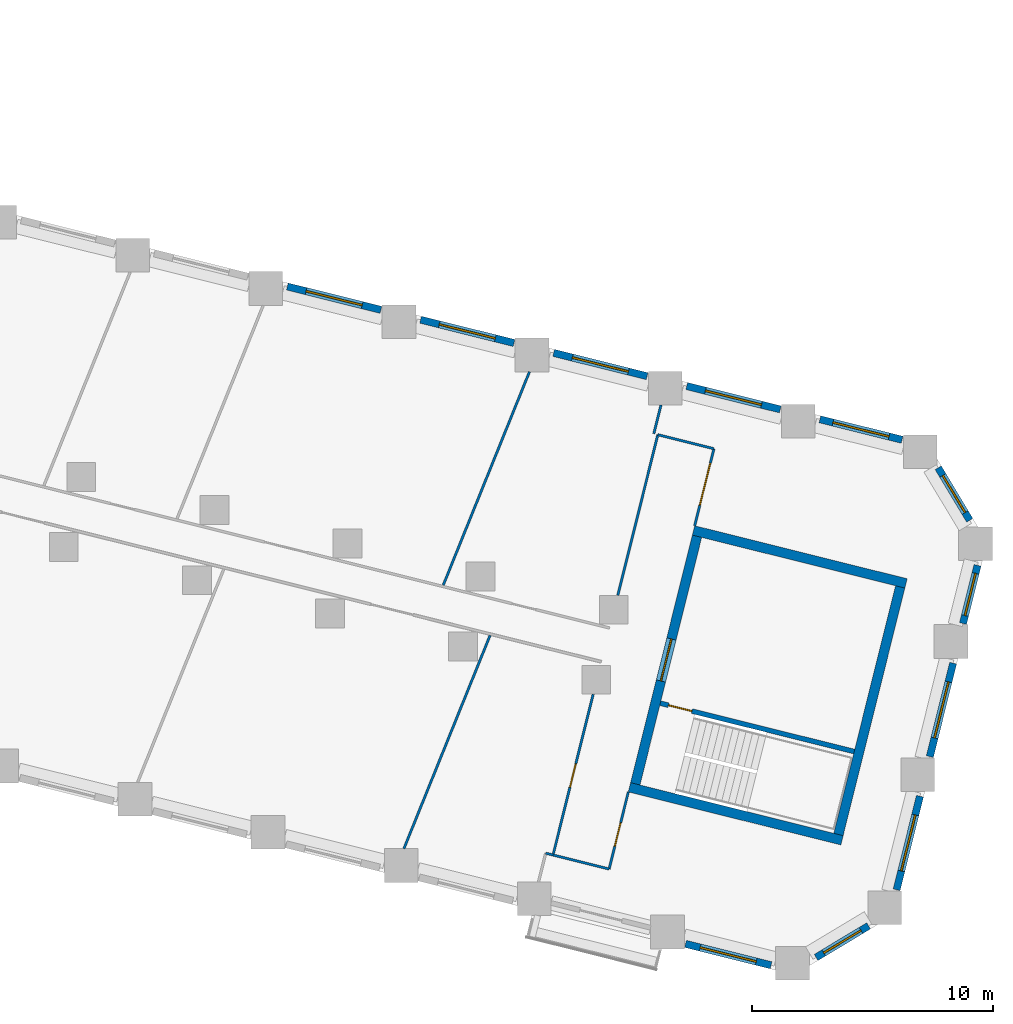
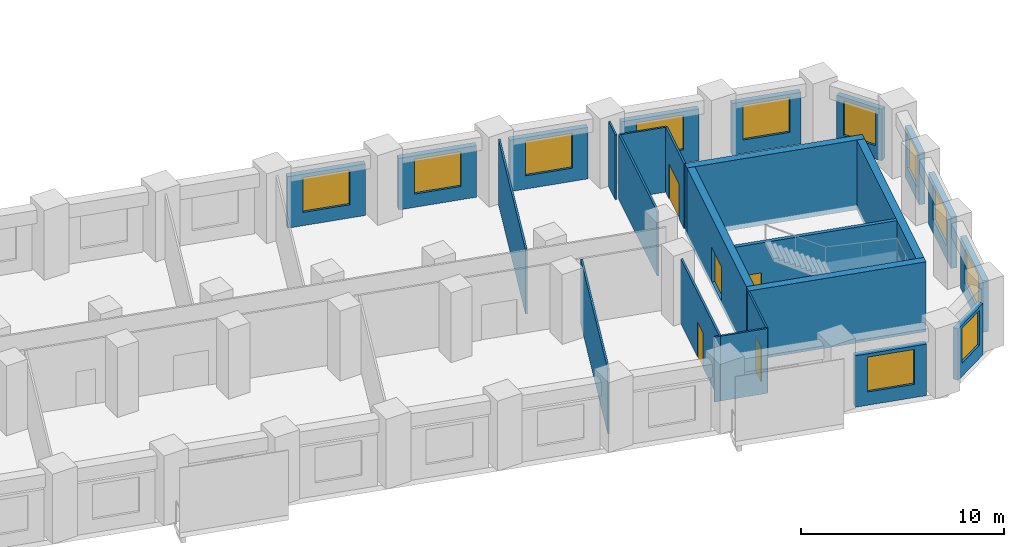
# One storey, part 7 of 11: 26 walls, 11 windows, 5 doors, 16 openings.
"""IFC4 building model written with IfcOpenShell, lengths in metres."""

import ifcopenshell
import ifcopenshell.guid

model = None  # the IFC model being written
_history = None  # IfcOwnerHistory: only IFC2X3 demands one
_inside = {}  # id of a spatial element -> (the spatial element, [elements in it])
_under = {}  # id of a project, library or spatial element -> (it, [spatial elements below it])
_declared = {}  # id of a project -> (the project, [libraries it declares])
_typed = {}  # id of a type object -> (the type object, [elements of that type])
_made_of = {}  # id of a material, layer set ... -> (it, [elements and type objects made of it])


def new_model(schema):
    """Start an empty IFC model of exactly this schema.

    Asked for "IFC4X3", IfcOpenShell would pick the latest addendum, in which some entities
    have other attributes; the version numbers below select the first issue.
    IFC2X3 requires an IfcOwnerHistory on every rooted entity: one is made here for all.
    """
    global model, _history
    if schema == "IFC4X3":
        model = ifcopenshell.file(schema_version=(4, 3, 0, 0))
    else:
        model = ifcopenshell.file(schema=schema)
    _inside.clear()
    _under.clear()
    _declared.clear()
    _typed.clear()
    _made_of.clear()
    _history = None
    if model.schema == "IFC2X3":
        org = make("IfcOrganization", Name="unknown")
        user = make(
            "IfcPersonAndOrganization",
            ThePerson=make("IfcPerson", FamilyName="unknown"),
            TheOrganization=org,
        )
        app = make(
            "IfcApplication",
            ApplicationDeveloper=org,
            Version="unknown",
            ApplicationFullName="unknown",
            ApplicationIdentifier="unknown",
        )
        _history = make(
            "IfcOwnerHistory",
            OwningUser=user,
            OwningApplication=app,
            ChangeAction="ADDED",
            CreationDate=0,
        )
    return model


def make(cls, **values):
    """One entity of the class cls with the attributes given. An attribute that is None is left unset."""
    return model.create_entity(
        cls, **{name: value for name, value in values.items() if value is not None}
    )


def rooted(cls, **values):
    """An entity with a GlobalId (a new one), such as an element, a storey or a relation."""
    return make(cls, GlobalId=ifcopenshell.guid.new(), OwnerHistory=_history, **values)


def si_unit(unit_type, name, prefix=None):
    """IfcSIUnit, for example si_unit("LENGTHUNIT", "METRE", prefix="MILLI")."""
    return make("IfcSIUnit", UnitType=unit_type, Prefix=prefix, Name=name)


def assignment(units):
    """IfcUnitAssignment: the units of a project."""
    return None if units is None else make("IfcUnitAssignment", Units=units)


def point(xyz):
    """IfcCartesianPoint."""
    return None if xyz is None else make("IfcCartesianPoint", Coordinates=xyz)


def direction(xyz):
    """IfcDirection."""
    return None if xyz is None else make("IfcDirection", DirectionRatios=xyz)


def frame(location, z_axis=None, x_axis=None):
    """IfcAxis2Placement3D, a coordinate frame: its origin and axes. An axis left out is left unset."""
    return make(
        "IfcAxis2Placement3D",
        Location=point(location),
        Axis=direction(z_axis),
        RefDirection=direction(x_axis),
    )


def frame_2d(location, x_axis=None):
    """IfcAxis2Placement2D, a coordinate frame in the plane: its origin and x axis."""
    return make(
        "IfcAxis2Placement2D", Location=point(location), RefDirection=direction(x_axis)
    )


def origin():
    """The frame at (0, 0, 0) with its axes left unset."""
    return frame((0.0, 0.0, 0.0))


def place(relative_to, where):
    """IfcLocalPlacement: puts the frame where relative to a parent placement (None: the world)."""
    return make(
        "IfcLocalPlacement", PlacementRelTo=relative_to, RelativePlacement=where
    )


def context(
    kind, dimensions, precision=None, world=None, true_north=None, identifier=None
):
    """IfcGeometricRepresentationContext, for example the 3D "Model" context."""
    return make(
        "IfcGeometricRepresentationContext",
        ContextIdentifier=identifier,
        ContextType=kind,
        CoordinateSpaceDimension=dimensions,
        Precision=precision,
        WorldCoordinateSystem=world,
        TrueNorth=true_north,
    )


def subcontext(parent, identifier, kind, view, scale=None):
    """IfcGeometricRepresentationSubContext, for example "Body" below "Model"."""
    return make(
        "IfcGeometricRepresentationSubContext",
        ContextIdentifier=identifier,
        ContextType=kind,
        ParentContext=parent,
        TargetScale=scale,
        TargetView=view,
    )


def project(units=None, contexts=None):
    """IfcProject with its units and contexts."""
    return rooted(
        "IfcProject",
        Name="project",
        RepresentationContexts=contexts,
        UnitsInContext=assignment(units),
    )


def spatial(cls, under=None, at=None, **own):
    """A site, building, storey or space (cls), placed at a placement, below another one or the project."""
    s = rooted(cls, ObjectPlacement=at, **own)
    if under is not None:
        _under.setdefault(under.id(), (under, []))[1].append(s)
    return s


def profile(cls, at=None, kind="AREA", **sizes):
    """A parametric profile (cls). Its sizes go by their IFC names, for example OverallWidth=200.0."""
    return make(cls, ProfileType=kind, Position=at, **sizes)


def rectangle(**sizes):
    """IfcRectangleProfileDef."""
    return profile("IfcRectangleProfileDef", **sizes)


def extrude(swept, where, along, depth):
    """IfcExtrudedAreaSolid: the profile swept, set in the frame where, extruded along a direction by depth."""
    return make(
        "IfcExtrudedAreaSolid",
        SweptArea=swept,
        Position=where,
        ExtrudedDirection=direction(along),
        Depth=depth,
    )


def shape(context_of_items, identifier, shape_type, items):
    """IfcShapeRepresentation: the items that make up one representation, for example the "Body"."""
    return make(
        "IfcShapeRepresentation",
        ContextOfItems=context_of_items,
        RepresentationIdentifier=identifier,
        RepresentationType=shape_type,
        Items=items,
    )


def material(Name=None, Category=None):
    """IfcMaterial."""
    return make("IfcMaterial", Name=Name, Category=Category)


def layer(
    of_material, thickness, ventilated=None, Name=None, Category=None, Priority=None
):
    """IfcMaterialLayer: one layer of a wall or slab, of a material (None: an air gap)."""
    return make(
        "IfcMaterialLayer",
        Material=of_material,
        LayerThickness=thickness,
        IsVentilated=ventilated,
        Name=Name,
        Category=Category,
        Priority=Priority,
    )


def layer_set(layers, Name=None):
    """IfcMaterialLayerSet."""
    return make("IfcMaterialLayerSet", MaterialLayers=layers, LayerSetName=Name)


def made_of(thing, what):
    """Note that an element or type object is made of a material, layer set ...; save() writes the relation."""
    if what is not None:
        _made_of.setdefault(what.id(), (what, []))[1].append(thing)
    return thing


def type_object(cls, material=None, **own):
    """A type object (cls), such as IfcWallType, which elements share."""
    return made_of(rooted(cls, **own), material)


def element(
    cls,
    number,
    at=None,
    inside=None,
    cuts=None,
    type_object=None,
    material=None,
    context=None,
    identifier="Body",
    shape_type=None,
    held_by="IfcProductDefinitionShape",
    body=None,
    shapes=None,
    **own,
):
    """One element of the class cls, such as IfcWall. Its Tag is "e" and its number.

    at: its placement. inside: the storey or other place that contains it. cuts: it is an
    opening in that element (IfcRelVoidsElement). A single representation is given by context,
    identifier, shape_type and body (its items); several are given by shapes. held_by: the class
    of the entity that holds the representations. save() writes the other relations.
    """
    e = rooted(cls, Tag="e%d" % number, ObjectPlacement=at, **own)
    if body is not None:
        shapes = [shape(context, identifier, shape_type, body)]
    if shapes is not None:
        e.Representation = make(held_by, Representations=shapes)
    if inside is not None:
        _inside.setdefault(inside.id(), (inside, []))[1].append(e)
    if cuts is not None:
        rooted(
            "IfcRelVoidsElement", RelatingBuildingElement=cuts, RelatedOpeningElement=e
        )
    if type_object is not None:
        _typed.setdefault(type_object.id(), (type_object, []))[1].append(e)
    return made_of(e, material)


def fill(opening, filler):
    """IfcRelFillsElement: the door or window that sits in an opening."""
    return rooted(
        "IfcRelFillsElement",
        RelatingOpeningElement=opening,
        RelatedBuildingElement=filler,
    )


def aggregate(whole, parts):
    """IfcRelAggregates: a whole, such as a stair, and the parts it consists of."""
    return rooted("IfcRelAggregates", RelatingObject=whole, RelatedObjects=parts)


def save(model, path):
    """Write the relations noted so far, then the file.

    IfcRelAggregates (storeys below a building ...), IfcRelContainedInSpatialStructure (elements
    in a storey), IfcRelDefinesByType, IfcRelAssociatesMaterial and IfcRelDeclares: one each for
    every whole, place, type object, material and project.
    """
    for whole, parts in _under.values():
        aggregate(whole, parts)
    for where, things in _inside.values():
        rooted(
            "IfcRelContainedInSpatialStructure",
            RelatedElements=things,
            RelatingStructure=where,
        )
    for kind, things in _typed.values():
        rooted("IfcRelDefinesByType", RelatedObjects=things, RelatingType=kind)
    for what, things in _made_of.values():
        rooted("IfcRelAssociatesMaterial", RelatedObjects=things, RelatingMaterial=what)
    for by, libraries in _declared.values():
        rooted("IfcRelDeclares", RelatingContext=by, RelatedDefinitions=libraries)
    model.write(path)


model = new_model("IFC4")

# Units and contexts
model_context = context("Model", 3, precision=1e-05, world=origin(), true_north=direction((0.0, 1.0)))
body_context = subcontext(model_context, "Body", "Model", "MODEL_VIEW")
ifc_project = project(units=[si_unit("LENGTHUNIT", "METRE"), si_unit("AREAUNIT", "SQUARE_METRE"), si_unit("VOLUMEUNIT", "CUBIC_METRE"), si_unit("PLANEANGLEUNIT", "RADIAN"), si_unit("MASSUNIT", "GRAM", prefix="KILO")], contexts=[model_context])

# Site, building, storey
site_placement = place(None, origin())
site = spatial("IfcSite", under=ifc_project, at=site_placement, CompositionType="ELEMENT")
building_placement = place(site_placement, origin())
building = spatial("IfcBuilding", under=site, at=building_placement, Name="Meshkara Civic Tower", CompositionType="ELEMENT")
storey_placement = place(building_placement, frame((0.0, 0.0, 41.39990234375)))
storey = spatial("IfcBuildingStorey", under=building, at=storey_placement, Name="L08", CompositionType="ELEMENT", Elevation=41.39990234375)

# Wall
ifc_material_1 = material(Name="Corridor wall 100")
ifc_layer_1 = layer(ifc_material_1, 0.10009765625)
ifc_layer_set_1 = layer_set([ifc_layer_1], Name="Corridor wall 100")
wall_type_1 = type_object("IfcWallType", Name="Corridor wall 100", PredefinedType="PARTITIONING", material=ifc_layer_set_1)
wall_1_placement = place(storey_placement, frame((72.93603515625, -15.7109375, 0.0), z_axis=(0.0, 0.0, 1.0), x_axis=(0.970232217337, -0.242176473756, 0.0)))
element("IfcWall", 1, at=wall_1_placement, inside=storey, type_object=wall_type_1, Name="L08-W025", PredefinedType="PARTITIONING", context=body_context, shape_type="SweptSolid", body=[
    extrude(rectangle(XDim=2.3994140625, YDim=0.10009765625, at=frame_2d((1.19970703125, 0.0))), origin(), (0.0, 0.0, 1.0), 3.900146484375),
])

# Wall, opening, door
wall_2_placement = place(storey_placement, frame((74.60205078125, -9.029052734375, 0.0), z_axis=(0.0, 0.0, 1.0), x_axis=(-0.241926631527, -0.970294545465, 0.0)))
wall_2 = element("IfcWall", 2, at=wall_2_placement, inside=storey, type_object=wall_type_1, Name="L08-W026", PredefinedType="PARTITIONING", context=body_context, shape_type="SweptSolid", body=[
    extrude(rectangle(XDim=6.886474609375, YDim=0.10009765625, at=frame_2d((3.443359375, 0.0))), origin(), (0.0, 0.0, 1.0), 3.900146484375),
])
opening_1_placement = place(wall_2_placement, frame((2.97998046875, 0.0, 0.0)))
opening_1 = element("IfcOpeningElement", 3, at=opening_1_placement, cuts=wall_2, Name="Opening L08-D001", PredefinedType="OPENING", context=body_context, shape_type="SweptSolid", body=[
    extrude(rectangle(XDim=1.0, YDim=2.10009765625, at=frame_2d((0.5, 1.050048828125))), frame((0.0, 0.06005859375, 0.0), z_axis=(0.0, -1.0, 0.0), x_axis=(1.0, 0.0, 0.0)), (0.0, 0.0, 1.0), 0.1201171875),
])
ifc_material_2 = material(Name="Door 1000 x 2100")
door_type_1 = type_object("IfcDoorType", Name="Door 1000 x 2100", OperationType="SINGLE_SWING_LEFT", PredefinedType="DOOR", material=ifc_material_2)
door_1_placement = place(opening_1_placement, origin())
door_1 = element("IfcDoor", 4, at=door_1_placement, inside=storey, type_object=door_type_1, Name="L08-D001", OperationType="SINGLE_SWING_LEFT", OverallHeight=2.10009765625, OverallWidth=1.0, PredefinedType="DOOR", context=body_context, shape_type="SweptSolid", body=[
    extrude(rectangle(XDim=1.0, YDim=2.10009765625, at=frame_2d((0.5, 1.050048828125))), frame((0.0, 0.02490234375, 0.0), z_axis=(0.0, -1.0, 0.0), x_axis=(1.0, 0.0, 0.0)), (0.0, 0.0, 1.0), 0.050048828125),
])
fill(opening_1, door_1)

wall_3_placement = place(storey_placement, frame((75.263916015625, -16.2919921875, 0.0), z_axis=(0.0, 0.0, 1.0), x_axis=(0.242135244173, 0.970242507587, 0.0)))
wall_3 = element("IfcWall", 5, at=wall_3_placement, inside=storey, type_object=wall_type_1, Name="L08-W027", PredefinedType="PARTITIONING", context=body_context, shape_type="SweptSolid", body=[
    extrude(rectangle(XDim=3.300048828125, YDim=0.10009765625, at=frame_2d((1.64990234375, 0.0))), origin(), (0.0, 0.0, 1.0), 3.900146484375),
])
opening_2_placement = place(wall_3_placement, frame((0.97998046875, 0.0, 0.0)))
opening_2 = element("IfcOpeningElement", 6, at=opening_2_placement, cuts=wall_3, Name="Opening L08-D002", PredefinedType="OPENING", context=body_context, shape_type="SweptSolid", body=[
    extrude(rectangle(XDim=1.0, YDim=2.10009765625, at=frame_2d((0.5, 1.050048828125))), frame((0.0, 0.06005859375, 0.0), z_axis=(0.0, -1.0, 0.0), x_axis=(1.0, 0.0, 0.0)), (0.0, 0.0, 1.0), 0.1201171875),
])
door_2_placement = place(opening_2_placement, origin())
door_2 = element("IfcDoor", 7, at=door_2_placement, inside=storey, type_object=door_type_1, Name="L08-D002", OperationType="SINGLE_SWING_RIGHT", OverallHeight=2.10009765625, OverallWidth=1.0, PredefinedType="DOOR", context=body_context, shape_type="SweptSolid", body=[
    extrude(rectangle(XDim=1.0, YDim=2.10009765625, at=frame_2d((0.5, 1.050048828125))), frame((0.0, 0.02490234375, 0.0), z_axis=(0.0, -1.0, 0.0), x_axis=(1.0, 0.0, 0.0)), (0.0, 0.0, 1.0), 0.050048828125),
])
fill(opening_2, door_2)

# Wall
wall_4_placement = place(storey_placement, frame((77.2900390625, 1.75390625, 0.0), z_axis=(0.0, 0.0, 1.0), x_axis=(-0.241867218289, -0.970309357224, 0.0)))
element("IfcWall", 8, at=wall_4_placement, inside=storey, type_object=wall_type_1, Name="L08-W028", PredefinedType="PARTITIONING", context=body_context, shape_type="SweptSolid", body=[
    extrude(rectangle(XDim=6.8759765625, YDim=0.10009765625, at=frame_2d((3.43798828125, 0.0))), origin(), (0.0, 0.0, 1.0), 3.900146484375),
])

# Wall, opening, door
wall_5_placement = place(storey_placement, frame((78.821044921875, -2.029052734375, 0.0), z_axis=(0.0, 0.0, 1.0), x_axis=(0.241769629392, 0.970333677816, 0.0)))
wall_5 = element("IfcWall", 9, at=wall_5_placement, inside=storey, type_object=wall_type_1, Name="L08-W029", PredefinedType="PARTITIONING", context=body_context, shape_type="SweptSolid", body=[
    extrude(rectangle(XDim=3.300048828125, YDim=0.10009765625, at=frame_2d((1.64990234375, 0.0))), origin(), (0.0, 0.0, 1.0), 3.900146484375),
])
opening_3_placement = place(wall_5_placement, frame((0.8798828125, 0.0, 0.0)))
opening_3 = element("IfcOpeningElement", 10, at=opening_3_placement, cuts=wall_5, Name="Opening L08-D009", PredefinedType="OPENING", context=body_context, shape_type="SweptSolid", body=[
    extrude(rectangle(XDim=1.800048828125, YDim=2.10009765625, at=frame_2d((0.89990234375, 1.050048828125))), frame((0.0, 0.06005859375, 0.0), z_axis=(0.0, -1.0, 0.0), x_axis=(1.0, 0.0, 0.0)), (0.0, 0.0, 1.0), 0.1201171875),
])
ifc_material_3 = material(Name="Door pair 1800 x 2100")
door_type_2 = type_object("IfcDoorType", Name="Door pair 1800 x 2100", OperationType="SINGLE_SWING_LEFT", PredefinedType="DOOR", material=ifc_material_3)
door_3_placement = place(opening_3_placement, origin())
door_3 = element("IfcDoor", 11, at=door_3_placement, inside=storey, type_object=door_type_2, Name="L08-D009", OperationType="DOUBLE_DOOR_SINGLE_SWING", OverallHeight=2.10009765625, OverallWidth=1.800048828125, PredefinedType="DOOR", context=body_context, shape_type="SweptSolid", body=[
    extrude(rectangle(XDim=1.800048828125, YDim=2.10009765625, at=frame_2d((0.89990234375, 1.050048828125))), frame((0.0, 0.02490234375, 0.0), z_axis=(0.0, -1.0, 0.0), x_axis=(1.0, 0.0, 0.0)), (0.0, 0.0, 1.0), 0.050048828125),
])
fill(opening_3, door_3)

# Wall
wall_6_placement = place(storey_placement, frame((79.618896484375, 1.173095703125, 0.0), z_axis=(0.0, 0.0, 1.0), x_axis=(-0.970279961304, 0.241985116673, 0.0)))
element("IfcWall", 12, at=wall_6_placement, inside=storey, type_object=wall_type_1, Name="L08-W030", PredefinedType="PARTITIONING", context=body_context, shape_type="SweptSolid", body=[
    extrude(rectangle(XDim=2.400146484375, YDim=0.10009765625, at=frame_2d((1.2001953125, 0.0))), origin(), (0.0, 0.0, 1.0), 3.900146484375),
])

# Wall, opening, window
ifc_material_4 = material(Name="Insulated infill panel with bronze anodised aluminium cladding", Category="aluminium")
ifc_layer_2 = layer(ifc_material_4, 0.300048828125)
ifc_layer_set_2 = layer_set([ifc_layer_2], Name="EXTERNAL INFILL WALL 300")
wall_type_2 = type_object("IfcWallType", Name="EXTERNAL INFILL WALL 300", PredefinedType="SOLIDWALL", material=ifc_layer_set_2)
wall_7_placement = place(storey_placement, frame((87.43505859375, 1.54296875, 0.0), z_axis=(0.0, 0.0, 1.0), x_axis=(-0.970289298425, 0.241947674843, 0.0)))
wall_7 = element("IfcWall", 13, at=wall_7_placement, inside=storey, type_object=wall_type_2, Name="External wall", PredefinedType="SOLIDWALL", context=body_context, shape_type="SweptSolid", body=[
    extrude(rectangle(XDim=3.517578125, YDim=0.300048828125, at=frame_2d((1.7587890625, 0.0))), origin(), (0.0, 0.0, 1.0), 3.10009765625),
])
opening_4_placement = place(wall_7_placement, frame((0.55908203125, 0.0, 0.800048828125)))
opening_4 = element("IfcOpeningElement", 14, at=opening_4_placement, cuts=wall_7, Name="Opening W7", PredefinedType="OPENING", context=body_context, shape_type="SweptSolid", body=[
    extrude(rectangle(XDim=2.39990234375, YDim=2.10009765625, at=frame_2d((1.199951171875, 1.050048828125))), frame((0.0, 0.159912109375, 0.0), z_axis=(0.0, -1.0, 0.0), x_axis=(1.0, 0.0, 0.0)), (0.0, 0.0, 1.0), 0.320068359375),
])
ifc_material_5 = material(Name="Tinted double glazing", Category="glass")
window_type_1 = type_object("IfcWindowType", Name="WINDOW 2400x2100", PartitioningType="DOUBLE_PANEL_VERTICAL", PredefinedType="WINDOW", material=ifc_material_5)
window_1_placement = place(opening_4_placement, origin())
window_1 = element("IfcWindow", 15, at=window_1_placement, inside=storey, type_object=window_type_1, Name="Window", OverallHeight=2.10009765625, OverallWidth=2.39990234375, PartitioningType="DOUBLE_PANEL_VERTICAL", PredefinedType="WINDOW", context=body_context, shape_type="SweptSolid", body=[
    extrude(rectangle(XDim=2.39990234375, YDim=2.10009765625, at=frame_2d((1.199951171875, 1.050048828125))), frame((0.0, 0.030029296875, 0.0), z_axis=(0.0, -1.0, 0.0), x_axis=(1.0, 0.0, 0.0)), (0.0, 0.0, 1.0), 0.06005859375),
])
fill(opening_4, window_1)

wall_8_placement = place(storey_placement, frame((82.375, 2.804931640625, 0.0), z_axis=(0.0, 0.0, 1.0), x_axis=(-0.970318045095, 0.24183236211, 0.0)))
wall_8 = element("IfcWall", 16, at=wall_8_placement, inside=storey, type_object=wall_type_2, Name="External wall", PredefinedType="SOLIDWALL", context=body_context, shape_type="SweptSolid", body=[
    extrude(rectangle(XDim=4.0029296875, YDim=0.300048828125, at=frame_2d((2.00146484375, 0.0))), origin(), (0.0, 0.0, 1.0), 3.10009765625),
])
opening_5_placement = place(wall_8_placement, frame((0.802001953125, 0.0, 0.800048828125)))
opening_5 = element("IfcOpeningElement", 17, at=opening_5_placement, cuts=wall_8, Name="Opening W7", PredefinedType="OPENING", context=body_context, shape_type="SweptSolid", body=[
    extrude(rectangle(XDim=2.39990234375, YDim=2.10009765625, at=frame_2d((1.199951171875, 1.050048828125))), frame((0.0, 0.159912109375, 0.0), z_axis=(0.0, -1.0, 0.0), x_axis=(1.0, 0.0, 0.0)), (0.0, 0.0, 1.0), 0.320068359375),
])
window_2_placement = place(opening_5_placement, origin())
window_2 = element("IfcWindow", 18, at=window_2_placement, inside=storey, type_object=window_type_1, Name="Window", OverallHeight=2.10009765625, OverallWidth=2.39990234375, PartitioningType="DOUBLE_PANEL_VERTICAL", PredefinedType="WINDOW", context=body_context, shape_type="SweptSolid", body=[
    extrude(rectangle(XDim=2.39990234375, YDim=2.10009765625, at=frame_2d((1.199951171875, 1.050048828125))), frame((0.0, 0.030029296875, 0.0), z_axis=(0.0, -1.0, 0.0), x_axis=(1.0, 0.0, 0.0)), (0.0, 0.0, 1.0), 0.06005859375),
])
fill(opening_5, window_2)

wall_9_placement = place(storey_placement, frame((76.843994140625, 4.18408203125, 0.0), z_axis=(0.0, 0.0, 1.0), x_axis=(-0.970303772127, 0.241889623168, 0.0)))
wall_9 = element("IfcWall", 19, at=wall_9_placement, inside=storey, type_object=wall_type_2, Name="External wall", PredefinedType="SOLIDWALL", context=body_context, shape_type="SweptSolid", body=[
    extrude(rectangle(XDim=4.001953125, YDim=0.300048828125, at=frame_2d((2.0009765625, 0.0))), origin(), (0.0, 0.0, 1.0), 3.10009765625),
])
opening_6_placement = place(wall_9_placement, frame((0.801025390625, 0.0, 0.800048828125)))
opening_6 = element("IfcOpeningElement", 20, at=opening_6_placement, cuts=wall_9, Name="Opening W7", PredefinedType="OPENING", context=body_context, shape_type="SweptSolid", body=[
    extrude(rectangle(XDim=2.39990234375, YDim=2.10009765625, at=frame_2d((1.199951171875, 1.050048828125))), frame((0.0, 0.159912109375, 0.0), z_axis=(0.0, -1.0, 0.0), x_axis=(1.0, 0.0, 0.0)), (0.0, 0.0, 1.0), 0.320068359375),
])
window_3_placement = place(opening_6_placement, origin())
window_3 = element("IfcWindow", 21, at=window_3_placement, inside=storey, type_object=window_type_1, Name="Window", OverallHeight=2.10009765625, OverallWidth=2.39990234375, PartitioningType="DOUBLE_PANEL_VERTICAL", PredefinedType="WINDOW", context=body_context, shape_type="SweptSolid", body=[
    extrude(rectangle(XDim=2.39990234375, YDim=2.10009765625, at=frame_2d((1.199951171875, 1.050048828125))), frame((0.0, 0.030029296875, 0.0), z_axis=(0.0, -1.0, 0.0), x_axis=(1.0, 0.0, 0.0)), (0.0, 0.0, 1.0), 0.06005859375),
])
fill(opening_6, window_3)

wall_10_placement = place(storey_placement, frame((71.31396484375, 5.56298828125, 0.0), z_axis=(0.0, 0.0, 1.0), x_axis=(-0.970318045095, 0.24183236211, 0.0)))
wall_10 = element("IfcWall", 22, at=wall_10_placement, inside=storey, type_object=wall_type_2, Name="External wall", PredefinedType="SOLIDWALL", context=body_context, shape_type="SweptSolid", body=[
    extrude(rectangle(XDim=4.0029296875, YDim=0.300048828125, at=frame_2d((2.00146484375, 0.0))), origin(), (0.0, 0.0, 1.0), 3.10009765625),
])
opening_7_placement = place(wall_10_placement, frame((0.802001953125, 0.0, 0.800048828125)))
opening_7 = element("IfcOpeningElement", 23, at=opening_7_placement, cuts=wall_10, Name="Opening W7", PredefinedType="OPENING", context=body_context, shape_type="SweptSolid", body=[
    extrude(rectangle(XDim=2.39990234375, YDim=2.10009765625, at=frame_2d((1.199951171875, 1.050048828125))), frame((0.0, 0.159912109375, 0.0), z_axis=(0.0, -1.0, 0.0), x_axis=(1.0, 0.0, 0.0)), (0.0, 0.0, 1.0), 0.320068359375),
])
window_4_placement = place(opening_7_placement, origin())
window_4 = element("IfcWindow", 24, at=window_4_placement, inside=storey, type_object=window_type_1, Name="Window", OverallHeight=2.10009765625, OverallWidth=2.39990234375, PartitioningType="DOUBLE_PANEL_VERTICAL", PredefinedType="WINDOW", context=body_context, shape_type="SweptSolid", body=[
    extrude(rectangle(XDim=2.39990234375, YDim=2.10009765625, at=frame_2d((1.199951171875, 1.050048828125))), frame((0.0, 0.030029296875, 0.0), z_axis=(0.0, -1.0, 0.0), x_axis=(1.0, 0.0, 0.0)), (0.0, 0.0, 1.0), 0.06005859375),
])
fill(opening_7, window_4)

wall_11_placement = place(storey_placement, frame((65.782958984375, 6.94189453125, 0.0), z_axis=(0.0, 0.0, 1.0), x_axis=(-0.970318045095, 0.24183236211, 0.0)))
wall_11 = element("IfcWall", 25, at=wall_11_placement, inside=storey, type_object=wall_type_2, Name="External wall", PredefinedType="SOLIDWALL", context=body_context, shape_type="SweptSolid", body=[
    extrude(rectangle(XDim=4.0029296875, YDim=0.300048828125, at=frame_2d((2.00146484375, 0.0))), origin(), (0.0, 0.0, 1.0), 3.10009765625),
])
opening_8_placement = place(wall_11_placement, frame((0.802001953125, 0.0, 0.800048828125)))
opening_8 = element("IfcOpeningElement", 26, at=opening_8_placement, cuts=wall_11, Name="Opening W7", PredefinedType="OPENING", context=body_context, shape_type="SweptSolid", body=[
    extrude(rectangle(XDim=2.39990234375, YDim=2.10009765625, at=frame_2d((1.199951171875, 1.050048828125))), frame((0.0, 0.159912109375, 0.0), z_axis=(0.0, -1.0, 0.0), x_axis=(1.0, 0.0, 0.0)), (0.0, 0.0, 1.0), 0.320068359375),
])
window_5_placement = place(opening_8_placement, origin())
window_5 = element("IfcWindow", 27, at=window_5_placement, inside=storey, type_object=window_type_1, Name="Window", OverallHeight=2.10009765625, OverallWidth=2.39990234375, PartitioningType="DOUBLE_PANEL_VERTICAL", PredefinedType="WINDOW", context=body_context, shape_type="SweptSolid", body=[
    extrude(rectangle(XDim=2.39990234375, YDim=2.10009765625, at=frame_2d((1.199951171875, 1.050048828125))), frame((0.0, 0.030029296875, 0.0), z_axis=(0.0, -1.0, 0.0), x_axis=(1.0, 0.0, 0.0)), (0.0, 0.0, 1.0), 0.06005859375),
])
fill(opening_8, window_5)

wall_12_placement = place(storey_placement, frame((78.43994140625, -19.402099609375, 0.0), z_axis=(0.0, 0.0, 1.0), x_axis=(0.970271818873, -0.24201776278, 0.0)))
wall_12 = element("IfcWall", 28, at=wall_12_placement, inside=storey, type_object=wall_type_2, Name="External wall", PredefinedType="SOLIDWALL", context=body_context, shape_type="SweptSolid", body=[
    extrude(rectangle(XDim=3.660888671875, YDim=0.300048828125, at=frame_2d((1.83056640625, 0.0))), origin(), (0.0, 0.0, 1.0), 3.10009765625),
])
opening_9_placement = place(wall_12_placement, frame((0.6298828125, 0.0, 0.800048828125)))
opening_9 = element("IfcOpeningElement", 29, at=opening_9_placement, cuts=wall_12, Name="Opening W7", PredefinedType="OPENING", context=body_context, shape_type="SweptSolid", body=[
    extrude(rectangle(XDim=2.39990234375, YDim=2.10009765625, at=frame_2d((1.199951171875, 1.050048828125))), frame((0.0, 0.159912109375, 0.0), z_axis=(0.0, -1.0, 0.0), x_axis=(1.0, 0.0, 0.0)), (0.0, 0.0, 1.0), 0.320068359375),
])
window_6_placement = place(opening_9_placement, origin())
window_6 = element("IfcWindow", 30, at=window_6_placement, inside=storey, type_object=window_type_1, Name="Window", OverallHeight=2.10009765625, OverallWidth=2.39990234375, PartitioningType="DOUBLE_PANEL_VERTICAL", PredefinedType="WINDOW", context=body_context, shape_type="SweptSolid", body=[
    extrude(rectangle(XDim=2.39990234375, YDim=2.10009765625, at=frame_2d((1.199951171875, 1.050048828125))), frame((0.0, 0.030029296875, 0.0), z_axis=(0.0, -1.0, 0.0), x_axis=(1.0, 0.0, 0.0)), (0.0, 0.0, 1.0), 0.06005859375),
])
fill(opening_9, window_6)

wall_13_placement = place(storey_placement, frame((83.865966796875, -19.965087890625, 0.0), z_axis=(0.0, 0.0, 1.0), x_axis=(0.857026568426, 0.515272220299, 0.0)))
wall_13 = element("IfcWall", 31, at=wall_13_placement, inside=storey, type_object=wall_type_2, Name="External wall", PredefinedType="SOLIDWALL", context=body_context, shape_type="SweptSolid", body=[
    extrude(rectangle(XDim=2.54248046875, YDim=0.300048828125, at=frame_2d((1.271240234375, 0.0))), origin(), (0.0, 0.0, 1.0), 3.10009765625),
])
opening_10_placement = place(wall_13_placement, frame((0.37109375, 0.0, 0.800048828125)))
opening_10 = element("IfcOpeningElement", 32, at=opening_10_placement, cuts=wall_13, Name="Opening W9", PredefinedType="OPENING", context=body_context, shape_type="SweptSolid", body=[
    extrude(rectangle(XDim=1.800048828125, YDim=2.10009765625, at=frame_2d((0.89990234375, 1.050048828125))), frame((0.0, 0.159912109375, 0.0), z_axis=(0.0, -1.0, 0.0), x_axis=(1.0, 0.0, 0.0)), (0.0, 0.0, 1.0), 0.320068359375),
])
ifc_material_6 = material(Name="Tinted double glazing", Category="glass")
window_type_2 = type_object("IfcWindowType", Name="WINDOW 1800x2100", PartitioningType="DOUBLE_PANEL_VERTICAL", PredefinedType="WINDOW", material=ifc_material_6)
window_7_placement = place(opening_10_placement, origin())
window_7 = element("IfcWindow", 33, at=window_7_placement, inside=storey, type_object=window_type_2, Name="Window", OverallHeight=2.10009765625, OverallWidth=1.800048828125, PartitioningType="DOUBLE_PANEL_VERTICAL", PredefinedType="WINDOW", context=body_context, shape_type="SweptSolid", body=[
    extrude(rectangle(XDim=1.800048828125, YDim=2.10009765625, at=frame_2d((0.89990234375, 1.050048828125))), frame((0.0, 0.030029296875, 0.0), z_axis=(0.0, -1.0, 0.0), x_axis=(1.0, 0.0, 0.0)), (0.0, 0.0, 1.0), 0.06005859375),
])
fill(opening_10, window_7)

wall_14_placement = place(storey_placement, frame((87.2109375, -17.152099609375, 0.0), z_axis=(0.0, 0.0, 1.0), x_axis=(0.24183236211, 0.970318045095, 0.0)))
wall_14 = element("IfcWall", 34, at=wall_14_placement, inside=storey, type_object=wall_type_2, Name="External wall", PredefinedType="SOLIDWALL", context=body_context, shape_type="SweptSolid", body=[
    extrude(rectangle(XDim=4.0029296875, YDim=0.300048828125, at=frame_2d((2.00146484375, 0.0))), origin(), (0.0, 0.0, 1.0), 3.10009765625),
])
opening_11_placement = place(wall_14_placement, frame((0.802001953125, 0.0, 0.800048828125)))
opening_11 = element("IfcOpeningElement", 35, at=opening_11_placement, cuts=wall_14, Name="Opening W7", PredefinedType="OPENING", context=body_context, shape_type="SweptSolid", body=[
    extrude(rectangle(XDim=2.39990234375, YDim=2.10009765625, at=frame_2d((1.199951171875, 1.050048828125))), frame((0.0, 0.159912109375, 0.0), z_axis=(0.0, -1.0, 0.0), x_axis=(1.0, 0.0, 0.0)), (0.0, 0.0, 1.0), 0.320068359375),
])
window_8_placement = place(opening_11_placement, origin())
window_8 = element("IfcWindow", 36, at=window_8_placement, inside=storey, type_object=window_type_1, Name="Window", OverallHeight=2.10009765625, OverallWidth=2.39990234375, PartitioningType="DOUBLE_PANEL_VERTICAL", PredefinedType="WINDOW", context=body_context, shape_type="SweptSolid", body=[
    extrude(rectangle(XDim=2.39990234375, YDim=2.10009765625, at=frame_2d((1.199951171875, 1.050048828125))), frame((0.0, 0.030029296875, 0.0), z_axis=(0.0, -1.0, 0.0), x_axis=(1.0, 0.0, 0.0)), (0.0, 0.0, 1.0), 0.06005859375),
])
fill(opening_11, window_8)

wall_15_placement = place(storey_placement, frame((88.590087890625, -11.62109375, 0.0), z_axis=(0.0, 0.0, 1.0), x_axis=(0.241889623168, 0.970303772127, 0.0)))
wall_15 = element("IfcWall", 37, at=wall_15_placement, inside=storey, type_object=wall_type_2, Name="External wall", PredefinedType="SOLIDWALL", context=body_context, shape_type="SweptSolid", body=[
    extrude(rectangle(XDim=4.001953125, YDim=0.300048828125, at=frame_2d((2.0009765625, 0.0))), origin(), (0.0, 0.0, 1.0), 3.10009765625),
])
opening_12_placement = place(wall_15_placement, frame((0.801025390625, 0.0, 0.800048828125)))
opening_12 = element("IfcOpeningElement", 38, at=opening_12_placement, cuts=wall_15, Name="Opening W7", PredefinedType="OPENING", context=body_context, shape_type="SweptSolid", body=[
    extrude(rectangle(XDim=2.39990234375, YDim=2.10009765625, at=frame_2d((1.199951171875, 1.050048828125))), frame((0.0, 0.159912109375, 0.0), z_axis=(0.0, -1.0, 0.0), x_axis=(1.0, 0.0, 0.0)), (0.0, 0.0, 1.0), 0.320068359375),
])
window_9_placement = place(opening_12_placement, origin())
window_9 = element("IfcWindow", 39, at=window_9_placement, inside=storey, type_object=window_type_1, Name="Window", OverallHeight=2.10009765625, OverallWidth=2.39990234375, PartitioningType="DOUBLE_PANEL_VERTICAL", PredefinedType="WINDOW", context=body_context, shape_type="SweptSolid", body=[
    extrude(rectangle(XDim=2.39990234375, YDim=2.10009765625, at=frame_2d((1.199951171875, 1.050048828125))), frame((0.0, 0.030029296875, 0.0), z_axis=(0.0, -1.0, 0.0), x_axis=(1.0, 0.0, 0.0)), (0.0, 0.0, 1.0), 0.06005859375),
])
fill(opening_12, window_9)

wall_16_placement = place(storey_placement, frame((89.968994140625, -6.091064453125, 0.0), z_axis=(0.0, 0.0, 1.0), x_axis=(0.241797277733, 0.9703267885, 0.0)))
wall_16 = element("IfcWall", 40, at=wall_16_placement, inside=storey, type_object=wall_type_2, Name="External wall", PredefinedType="SOLIDWALL", context=body_context, shape_type="SweptSolid", body=[
    extrude(rectangle(XDim=2.489990234375, YDim=0.300048828125, at=frame_2d((1.2451171875, 0.0))), origin(), (0.0, 0.0, 1.0), 3.10009765625),
])
opening_13_placement = place(wall_16_placement, frame((0.344970703125, 0.0, 0.800048828125)))
opening_13 = element("IfcOpeningElement", 41, at=opening_13_placement, cuts=wall_16, Name="Opening W9", PredefinedType="OPENING", context=body_context, shape_type="SweptSolid", body=[
    extrude(rectangle(XDim=1.800048828125, YDim=2.10009765625, at=frame_2d((0.89990234375, 1.050048828125))), frame((0.0, 0.159912109375, 0.0), z_axis=(0.0, -1.0, 0.0), x_axis=(1.0, 0.0, 0.0)), (0.0, 0.0, 1.0), 0.320068359375),
])
window_10_placement = place(opening_13_placement, origin())
window_10 = element("IfcWindow", 42, at=window_10_placement, inside=storey, type_object=window_type_2, Name="Window", OverallHeight=2.10009765625, OverallWidth=1.800048828125, PartitioningType="DOUBLE_PANEL_VERTICAL", PredefinedType="WINDOW", context=body_context, shape_type="SweptSolid", body=[
    extrude(rectangle(XDim=1.800048828125, YDim=2.10009765625, at=frame_2d((0.89990234375, 1.050048828125))), frame((0.0, 0.030029296875, 0.0), z_axis=(0.0, -1.0, 0.0), x_axis=(1.0, 0.0, 0.0)), (0.0, 0.0, 1.0), 0.06005859375),
])
fill(opening_13, window_10)

wall_17_placement = place(storey_placement, frame((90.248046875, -1.801025390625, 0.0), z_axis=(0.0, 0.0, 1.0), x_axis=(-0.515441886055, 0.856924536992, 0.0)))
wall_17 = element("IfcWall", 43, at=wall_17_placement, inside=storey, type_object=wall_type_2, Name="External wall", PredefinedType="SOLIDWALL", context=body_context, shape_type="SweptSolid", body=[
    extrude(rectangle(XDim=2.54150390625, YDim=0.300048828125, at=frame_2d((1.270751953125, 0.0))), origin(), (0.0, 0.0, 1.0), 3.10009765625),
])
opening_14_placement = place(wall_17_placement, frame((0.37109375, 0.0, 0.800048828125)))
opening_14 = element("IfcOpeningElement", 44, at=opening_14_placement, cuts=wall_17, Name="Opening W9", PredefinedType="OPENING", context=body_context, shape_type="SweptSolid", body=[
    extrude(rectangle(XDim=1.800048828125, YDim=2.10009765625, at=frame_2d((0.89990234375, 1.050048828125))), frame((0.0, 0.159912109375, 0.0), z_axis=(0.0, -1.0, 0.0), x_axis=(1.0, 0.0, 0.0)), (0.0, 0.0, 1.0), 0.320068359375),
])
window_11_placement = place(opening_14_placement, origin())
window_11 = element("IfcWindow", 45, at=window_11_placement, inside=storey, type_object=window_type_2, Name="Window", OverallHeight=2.10009765625, OverallWidth=1.800048828125, PartitioningType="DOUBLE_PANEL_VERTICAL", PredefinedType="WINDOW", context=body_context, shape_type="SweptSolid", body=[
    extrude(rectangle(XDim=1.800048828125, YDim=2.10009765625, at=frame_2d((0.89990234375, 1.050048828125))), frame((0.0, 0.030029296875, 0.0), z_axis=(0.0, -1.0, 0.0), x_axis=(1.0, 0.0, 0.0)), (0.0, 0.0, 1.0), 0.06005859375),
])
fill(opening_14, window_11)

# Walls
ifc_material_7 = material(Name="Concrete C80", Category="concrete")
ifc_layer_3 = layer(ifc_material_7, 0.39990234375)
ifc_layer_set_3 = layer_set([ifc_layer_3], Name="End core ring wall 400 C80")
wall_type_3 = type_object("IfcWallType", Name="End core ring wall 400 C80", PredefinedType="SHEAR", material=ifc_layer_set_3)
wall_18_placement = place(storey_placement, frame((76.111083984375, -12.89599609375, -0.2998046875), z_axis=(0.0, 0.0, 1.0), x_axis=(0.970311127573, -0.241860115992, 0.0)))
element("IfcWall", 46, at=wall_18_placement, inside=storey, type_object=wall_type_3, Name="L08-C031", PredefinedType="SHEAR", context=body_context, shape_type="SweptSolid", body=[
    extrude(rectangle(XDim=9.10009765625, YDim=0.39990234375, at=frame_2d((4.550048828125, 0.0))), origin(), (0.0, 0.0, 1.0), 4.199951171875),
])
wall_19_placement = place(storey_placement, frame((78.77197265625, -2.222900390625, -0.2998046875), z_axis=(0.0, 0.0, 1.0), x_axis=(0.970306400786, -0.241879078453, 0.0)))
element("IfcWall", 47, at=wall_19_placement, inside=storey, type_object=wall_type_3, Name="L08-C032", PredefinedType="SHEAR", context=body_context, shape_type="SweptSolid", body=[
    extrude(rectangle(XDim=9.100341796875, YDim=0.39990234375, at=frame_2d((4.55029296875, 0.0))), origin(), (0.0, 0.0, 1.0), 4.199951171875),
])

# Wall, opening, door
wall_20_placement = place(storey_placement, frame((76.35302734375, -12.75, -0.2998046875), z_axis=(0.0, 0.0, 1.0), x_axis=(0.241977390218, 0.970281888228, 0.0)))
wall_20 = element("IfcWall", 48, at=wall_20_placement, inside=storey, type_object=wall_type_3, Name="L08-C033", PredefinedType="SHEAR", context=body_context, shape_type="SweptSolid", body=[
    extrude(rectangle(XDim=10.599853515625, YDim=0.39990234375, at=frame_2d((5.2998046875, 0.0))), origin(), (0.0, 0.0, 1.0), 4.199951171875),
])
opening_15_placement = place(wall_20_placement, frame((4.39990234375, 0.0, 0.300048828125)))
opening_15 = element("IfcOpeningElement", 49, at=opening_15_placement, cuts=wall_20, Name="Opening L08-K202", PredefinedType="OPENING", context=body_context, shape_type="SweptSolid", body=[
    extrude(rectangle(XDim=1.800048828125, YDim=2.10009765625, at=frame_2d((0.89990234375, 1.050048828125))), frame((0.0, 0.2099609375, 0.0), z_axis=(0.0, -1.0, 0.0), x_axis=(1.0, 0.0, 0.0)), (0.0, 0.0, 1.0), 0.419921875),
])
ifc_material_8 = material(Name="Fire-rated door leaf in steel frame", Category="steel")
door_type_3 = type_object("IfcDoorType", Name="Core double door 1800 EI 60", OperationType="DOUBLE_DOOR_SINGLE_SWING", PredefinedType="DOOR", material=ifc_material_8)
door_4_placement = place(opening_15_placement, origin())
door_4 = element("IfcDoor", 50, at=door_4_placement, inside=storey, type_object=door_type_3, Name="L08-K202", OperationType="DOUBLE_DOOR_SINGLE_SWING", OverallHeight=2.10009765625, OverallWidth=1.800048828125, PredefinedType="DOOR", context=body_context, shape_type="SweptSolid", body=[
    extrude(rectangle(XDim=1.800048828125, YDim=2.10009765625, at=frame_2d((0.89990234375, 1.050048828125))), frame((0.0, 0.02490234375, 0.0), z_axis=(0.0, -1.0, 0.0), x_axis=(1.0, 0.0, 0.0)), (0.0, 0.0, 1.0), 0.050048828125),
])
fill(opening_15, door_4)

# Walls
wall_21_placement = place(storey_placement, frame((84.794921875, -14.85498046875, -0.2998046875), z_axis=(0.0, 0.0, 1.0), x_axis=(0.241890652548, 0.970303515509, 0.0)))
element("IfcWall", 51, at=wall_21_placement, inside=storey, type_object=wall_type_3, Name="L08-C034", PredefinedType="SHEAR", context=body_context, shape_type="SweptSolid", body=[
    extrude(rectangle(XDim=10.599609375, YDim=0.39990234375, at=frame_2d((5.2998046875, 0.0))), origin(), (0.0, 0.0, 1.0), 4.199951171875),
])
ifc_material_9 = material(Name="Partition 100")
ifc_layer_4 = layer(ifc_material_9, 0.10009765625)
ifc_layer_set_4 = layer_set([ifc_layer_4], Name="Partition 100")
wall_type_4 = type_object("IfcWallType", Name="Partition 100", PredefinedType="PARTITIONING", material=ifc_layer_set_4)
wall_22_placement = place(storey_placement, frame((66.738037109375, -15.447998046875, 0.0), z_axis=(0.0, 0.0, 1.0), x_axis=(0.374603697495, 0.92718502459, 0.0)))
element("IfcWall", 52, at=wall_22_placement, inside=storey, type_object=wall_type_4, Name="L08-W053", PredefinedType="PARTITIONING", context=body_context, shape_type="SweptSolid", body=[
    extrude(rectangle(XDim=9.556884765625, YDim=0.10009765625, at=frame_2d((4.7783203125, 0.0))), origin(), (0.0, 0.0, 1.0), 3.900146484375),
])
wall_23_placement = place(storey_placement, frame((68.375, -4.49609375, 0.0), z_axis=(0.0, 0.0, 1.0), x_axis=(0.374568209597, 0.927199361712, 0.0)))
element("IfcWall", 53, at=wall_23_placement, inside=storey, type_object=wall_type_4, Name="L08-W054", PredefinedType="PARTITIONING", context=body_context, shape_type="SweptSolid", body=[
    extrude(rectangle(XDim=9.557861328125, YDim=0.10009765625, at=frame_2d((4.77880859375, 0.0))), origin(), (0.0, 0.0, 1.0), 3.900146484375),
])
wall_24_placement = place(storey_placement, frame((72.6298828125, -15.635009765625, 0.0), z_axis=(0.0, 0.0, 1.0), x_axis=(0.970590389113, -0.240736986276, 0.0)))
element("IfcWall", 54, at=wall_24_placement, inside=storey, type_object=wall_type_4, Name="L08-W056", PredefinedType="PARTITIONING", context=body_context, shape_type="SweptSolid", body=[
    extrude(rectangle(XDim=0.3193359375, YDim=0.10009765625, at=frame_2d((0.15966796875, 0.0))), origin(), (0.0, 0.0, 1.0), 3.900146484375),
])
wall_25_placement = place(storey_placement, frame((77.1240234375, 1.794921875, 0.0), z_axis=(0.0, 0.0, 1.0), x_axis=(0.241647114831, 0.970364195493, 0.0)))
element("IfcWall", 55, at=wall_25_placement, inside=storey, type_object=wall_type_4, Name="L08-W057", PredefinedType="PARTITIONING", context=body_context, shape_type="SweptSolid", body=[
    extrude(rectangle(XDim=1.228515625, YDim=0.10009765625, at=frame_2d((0.6142578125, 0.0))), origin(), (0.0, 0.0, 1.0), 3.900146484375),
])

# Wall, opening, door
ifc_material_10 = material(Name="Concrete C40/50", Category="concrete")
ifc_layer_5 = layer(ifc_material_10, 0.199951171875)
ifc_layer_set_5 = layer_set([ifc_layer_5], Name="Stair enclosure wall 200 C40/50")
wall_type_5 = type_object("IfcWallType", Name="Stair enclosure wall 200 C40/50", PredefinedType="SOLIDWALL", material=ifc_layer_set_5)
wall_26_placement = place(storey_placement, frame((77.39404296875, -9.403076171875, 0.0), z_axis=(0.0, 0.0, 1.0), x_axis=(0.970303192681, -0.241891947516, 0.0)))
wall_26 = element("IfcWall", 56, at=wall_26_placement, inside=storey, type_object=wall_type_5, Name="L08-C035", PredefinedType="SOLIDWALL", context=body_context, shape_type="SweptSolid", body=[
    extrude(rectangle(XDim=8.300537109375, YDim=0.199951171875, at=frame_2d((4.150390625, 0.0))), origin(), (0.0, 0.0, 1.0), 3.900146484375),
])
opening_16_placement = place(wall_26_placement, frame((0.35009765625, 0.0, 0.0)))
opening_16 = element("IfcOpeningElement", 57, at=opening_16_placement, cuts=wall_26, Name="Opening L08-K201", PredefinedType="OPENING", context=body_context, shape_type="SweptSolid", body=[
    extrude(rectangle(XDim=1.0, YDim=2.10009765625, at=frame_2d((0.5, 1.050048828125))), frame((0.0, 0.10986328125, 0.0), z_axis=(0.0, -1.0, 0.0), x_axis=(1.0, 0.0, 0.0)), (0.0, 0.0, 1.0), 0.219970703125),
])
ifc_material_11 = material(Name="Fire-rated door leaf in steel frame", Category="steel")
door_type_4 = type_object("IfcDoorType", Name="Stair door 1000 EI 120", OperationType="SINGLE_SWING_LEFT", PredefinedType="DOOR", material=ifc_material_11)
door_5_placement = place(opening_16_placement, origin())
door_5 = element("IfcDoor", 58, at=door_5_placement, inside=storey, type_object=door_type_4, Name="L08-K201", OperationType="SINGLE_SWING_LEFT", OverallHeight=2.10009765625, OverallWidth=1.0, PredefinedType="DOOR", context=body_context, shape_type="SweptSolid", body=[
    extrude(rectangle(XDim=1.0, YDim=2.10009765625, at=frame_2d((0.5, 1.050048828125))), frame((0.0, 0.02490234375, 0.0), z_axis=(0.0, -1.0, 0.0), x_axis=(1.0, 0.0, 0.0)), (0.0, 0.0, 1.0), 0.050048828125),
])
fill(opening_16, door_5)

save(model, "model.ifc")
